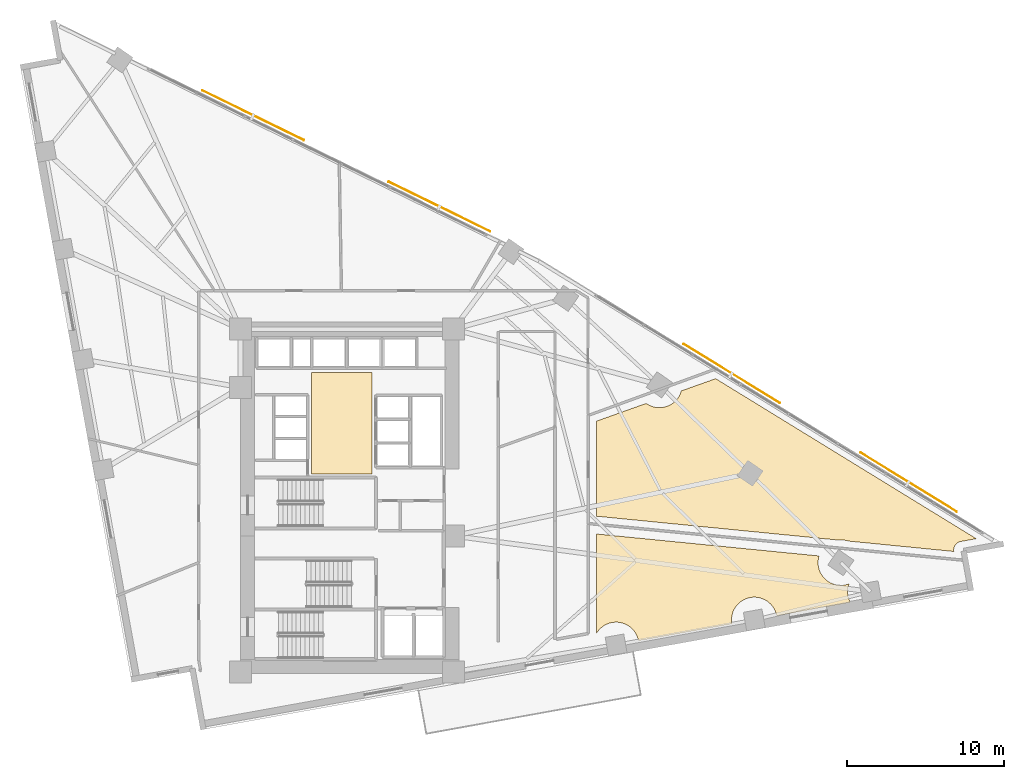
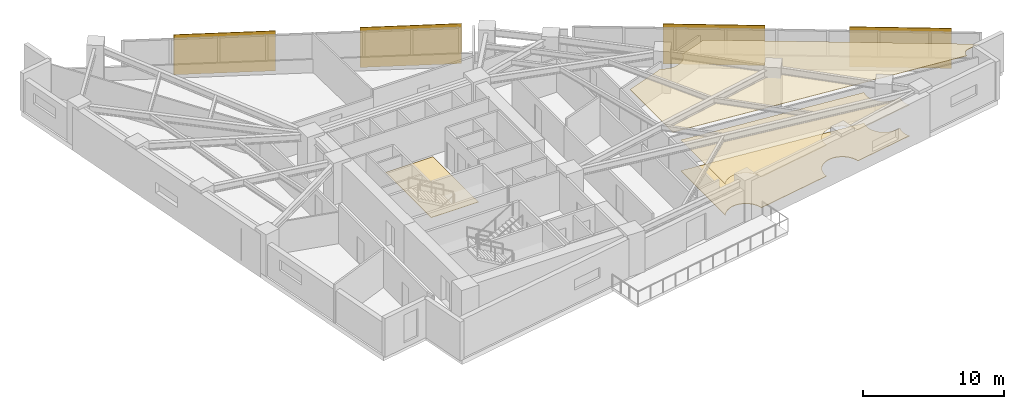
# One storey, part 18 of 18: 4 coverings, 4 shading devices.
"""IFC4 building model written with IfcOpenShell, lengths in metres."""

from ifc_helpers import new_model, si_unit, direction, frame, origin, origin_2d, place, context, subcontext, project, spatial, polyline, rectangle, outline, extrude, material, layer, layer_set, type_object, element, save


model = new_model("IFC4")

# Units and contexts
model_context = context("Model", 3, precision=1e-05, world=origin(), true_north=direction((0.0, 1.0)))
body_context = subcontext(model_context, "Body", "Model", "MODEL_VIEW")
ifc_project = project(units=[si_unit("LENGTHUNIT", "METRE"), si_unit("AREAUNIT", "SQUARE_METRE"), si_unit("VOLUMEUNIT", "CUBIC_METRE"), si_unit("PLANEANGLEUNIT", "RADIAN"), si_unit("MASSUNIT", "GRAM", prefix="KILO")], contexts=[model_context])

# Site, building, storey
site_placement = place(None, origin())
site = spatial("IfcSite", under=ifc_project, at=site_placement, CompositionType="ELEMENT")
building_placement = place(site_placement, origin())
building = spatial("IfcBuilding", under=site, at=building_placement, Name="Narakoshi Arena Tower", CompositionType="ELEMENT")
storey_placement = place(building_placement, frame((0.0, 0.0, 95.699951171875)))
storey = spatial("IfcBuildingStorey", under=building, at=storey_placement, Name="L25", CompositionType="ELEMENT", Elevation=95.699951171875)

# Coverings
ifc_material_1 = material(Name="Acoustic mineral-fibre ceiling tile")
ifc_layer_1 = layer(ifc_material_1, 0.02001953125)
ifc_layer_set_1 = layer_set([ifc_layer_1], Name="Acoustic mineral-fibre ceiling tile")
covering_type_1 = type_object("IfcCoveringType", Name="COV-CLG-AC20", PredefinedType="CEILING", material=ifc_layer_set_1)
covering_1_placement = place(storey_placement, frame((0.0, 0.0, 2.670166015625)))
element("IfcCovering", 1, at=covering_1_placement, inside=storey, type_object=covering_type_1, Name="L25 Suspended Acoustic Ceiling 1", PredefinedType="CEILING", context=body_context, shape_type="SweptSolid", body=[
    extrude(outline(polyline([(106.105712890625, 38.269287109375), (106.103515625, 38.284423828125), (106.06884765625, 38.42236328125), (106.02099609375, 38.556396484375), (105.960205078125, 38.68505859375), (105.886962890625, 38.80712890625), (105.80224609375, 38.92138671875), (105.70654296875, 39.02685546875), (105.601318359375, 39.122314453125), (105.48681640625, 39.20703125), (105.36474609375, 39.2802734375), (105.236083984375, 39.341064453125), (105.102294921875, 39.38916015625), (104.964111328125, 39.423583984375), (104.823486328125, 39.444580078125), (104.681396484375, 39.451416015625), (104.539306640625, 39.444580078125), (104.3984375, 39.423583984375), (104.260498046875, 39.38916015625), (104.12646484375, 39.341064453125), (103.997802734375, 39.2802734375), (103.875732421875, 39.20703125), (103.761474609375, 39.122314453125), (103.656005859375, 39.02685546875), (103.560302734375, 38.92138671875), (103.4755859375, 38.80712890625), (103.402587890625, 38.68505859375), (103.341796875, 38.556396484375), (103.293701171875, 38.42236328125), (103.25927734375, 38.284423828125), (103.23828125, 38.1435546875), (103.231201171875, 38.00146484375), (103.23828125, 37.859375), (103.25390625, 37.753662109375), (97.314453125, 36.679443359375), (97.312255859375, 36.694580078125), (97.277587890625, 36.832763671875), (97.229736328125, 36.966796875), (97.1689453125, 37.09521484375), (97.095703125, 37.21728515625), (97.010986328125, 37.331787109375), (96.915283203125, 37.43701171875), (96.81005859375, 37.53271484375), (96.69580078125, 37.617431640625), (96.573486328125, 37.690673828125), (96.445068359375, 37.75146484375), (96.31103515625, 37.79931640625), (96.173095703125, 37.833984375), (96.0322265625, 37.854736328125), (95.89013671875, 37.86181640625), (95.748046875, 37.854736328125), (95.607177734375, 37.833984375), (95.46923828125, 37.79931640625), (95.335205078125, 37.75146484375), (95.20654296875, 37.690673828125), (95.08447265625, 37.617431640625), (94.97021484375, 37.53271484375), (94.86474609375, 37.43701171875), (94.769287109375, 37.331787109375), (94.6845703125, 37.21728515625), (94.655029296875, 37.168212890625), (94.655029296875, 43.470703125), (108.802734375, 42.074462890625), (108.801513671875, 42.071044921875), (108.76708984375, 41.93310546875), (108.74609375, 41.792236328125), (108.7392578125, 41.650146484375), (108.74609375, 41.508056640625), (108.76708984375, 41.3671875), (108.801513671875, 41.229248046875), (108.849609375, 41.09521484375), (108.910400390625, 40.966796875), (108.983642578125, 40.844482421875), (109.068359375, 40.730224609375), (109.163818359375, 40.625), (109.269287109375, 40.529296875), (109.383544921875, 40.444580078125), (109.505615234375, 40.371337890625), (109.63427734375, 40.310546875), (109.768310546875, 40.2626953125), (109.90625, 40.22802734375), (110.047119140625, 40.207275390625), (110.189208984375, 40.2001953125), (110.331298828125, 40.207275390625), (110.47216796875, 40.22802734375), (110.610107421875, 40.2626953125), (110.71142578125, 40.298828125), (110.6826171875, 40.21875), (110.648193359375, 40.080810546875), (110.627197265625, 39.93994140625), (110.620361328125, 39.7978515625), (110.627197265625, 39.65576171875), (110.648193359375, 39.514892578125), (110.6826171875, 39.376953125), (110.730712890625, 39.242919921875), (110.79052734375, 39.116455078125), (106.105712890625, 38.269287109375)])), origin(), (0.0, 0.0, 1.0), 0.019775390625),
])
ifc_material_2 = material(Name="Slatted oak acoustic timber baffle", Category="wood")
ifc_layer_2 = layer(ifc_material_2, 0.034912109375)
ifc_layer_set_2 = layer_set([ifc_layer_2], Name="Slatted oak acoustic timber baffle")
covering_type_2 = type_object("IfcCoveringType", Name="COV-CLG-WD35", PredefinedType="CEILING", material=ifc_layer_set_2)
covering_2_placement = place(storey_placement, frame((0.0, 0.0, 2.655029296875)))
element("IfcCovering", 2, at=covering_2_placement, inside=storey, type_object=covering_type_2, Name="L25 Suspended Acoustic Ceiling 2", PredefinedType="CEILING", context=body_context, shape_type="SweptSolid", body=[
    extrude(outline(polyline([(110.656982421875, 43.02099609375), (110.610107421875, 43.037841796875), (110.47216796875, 43.072265625), (110.331298828125, 43.09326171875), (110.189208984375, 43.10009765625), (110.047119140625, 43.09326171875), (109.998291015625, 43.0859375), (94.655029296875, 44.60009765625), (94.655029296875, 50.65576171875), (97.80224609375, 51.77783203125), (97.835693359375, 51.7529296875), (97.9580078125, 51.6796875), (98.08642578125, 51.618896484375), (98.220458984375, 51.571044921875), (98.3583984375, 51.53662109375), (98.499267578125, 51.515625), (98.641357421875, 51.508544921875), (98.783447265625, 51.515625), (98.92431640625, 51.53662109375), (99.062255859375, 51.571044921875), (99.1962890625, 51.618896484375), (99.324951171875, 51.6796875), (99.447021484375, 51.7529296875), (99.561279296875, 51.837646484375), (99.666748046875, 51.933349609375), (99.76220703125, 52.038818359375), (99.846923828125, 52.153076171875), (99.920166015625, 52.275146484375), (99.98095703125, 52.40380859375), (100.029052734375, 52.53759765625), (100.038330078125, 52.574951171875), (102.223388671875, 53.35400390625), (118.80029296875, 43.172607421875), (117.8193359375, 42.995361328125), (117.766845703125, 42.983154296875), (117.715576171875, 42.9658203125), (117.66650390625, 42.943603515625), (117.61962890625, 42.916748046875), (117.57568359375, 42.88525390625), (117.53515625, 42.849609375), (117.498291015625, 42.810302734375), (117.46533203125, 42.767578125), (117.436767578125, 42.7216796875), (117.412841796875, 42.67333984375), (117.393798828125, 42.622802734375), (117.379638671875, 42.57080078125), (117.370849609375, 42.517578125), (117.3671875, 42.463623046875), (117.368896484375, 42.40966796875), (117.375732421875, 42.35791015625), (110.656982421875, 43.02099609375)])), origin(), (0.0, 0.0, 1.0), 0.034912109375),
])
ifc_material_3 = material(Name="Raised steel access floor panel", Category="steel")
ifc_layer_3 = layer(ifc_material_3, 0.044921875)
ifc_layer_set_3 = layer_set([ifc_layer_3], Name="Raised steel access floor panel")
covering_type_3 = type_object("IfcCoveringType", Name="COV-FLR-RF45", PredefinedType="FLOORING", material=ifc_layer_set_3)
covering_3_placement = place(storey_placement, origin())
element("IfcCovering", 3, at=covering_3_placement, inside=storey, type_object=covering_type_3, Name="L25 Raised Steel Access Floor", PredefinedType="FLOORING", context=body_context, shape_type="SweptSolid", body=[
    extrude(outline(polyline([(106.105712890625, 38.269287109375), (106.103515625, 38.284423828125), (106.06884765625, 38.42236328125), (106.02099609375, 38.556396484375), (105.960205078125, 38.68505859375), (105.886962890625, 38.80712890625), (105.80224609375, 38.92138671875), (105.70654296875, 39.02685546875), (105.601318359375, 39.122314453125), (105.48681640625, 39.20703125), (105.36474609375, 39.2802734375), (105.236083984375, 39.341064453125), (105.102294921875, 39.38916015625), (104.964111328125, 39.423583984375), (104.823486328125, 39.444580078125), (104.681396484375, 39.451416015625), (104.539306640625, 39.444580078125), (104.3984375, 39.423583984375), (104.260498046875, 39.38916015625), (104.12646484375, 39.341064453125), (103.997802734375, 39.2802734375), (103.875732421875, 39.20703125), (103.761474609375, 39.122314453125), (103.656005859375, 39.02685546875), (103.560302734375, 38.92138671875), (103.4755859375, 38.80712890625), (103.402587890625, 38.68505859375), (103.341796875, 38.556396484375), (103.293701171875, 38.42236328125), (103.25927734375, 38.284423828125), (103.23828125, 38.1435546875), (103.231201171875, 38.00146484375), (103.23828125, 37.859375), (103.25390625, 37.753662109375), (97.314453125, 36.679443359375), (97.312255859375, 36.694580078125), (97.277587890625, 36.832763671875), (97.229736328125, 36.966796875), (97.1689453125, 37.09521484375), (97.095703125, 37.21728515625), (97.010986328125, 37.331787109375), (96.915283203125, 37.43701171875), (96.81005859375, 37.53271484375), (96.69580078125, 37.617431640625), (96.573486328125, 37.690673828125), (96.445068359375, 37.75146484375), (96.31103515625, 37.79931640625), (96.173095703125, 37.833984375), (96.0322265625, 37.854736328125), (95.89013671875, 37.86181640625), (95.748046875, 37.854736328125), (95.607177734375, 37.833984375), (95.46923828125, 37.79931640625), (95.335205078125, 37.75146484375), (95.20654296875, 37.690673828125), (95.08447265625, 37.617431640625), (94.97021484375, 37.53271484375), (94.86474609375, 37.43701171875), (94.769287109375, 37.331787109375), (94.6845703125, 37.21728515625), (94.655029296875, 37.168212890625), (94.655029296875, 43.470703125), (108.802734375, 42.074462890625), (108.801513671875, 42.071044921875), (108.76708984375, 41.93310546875), (108.74609375, 41.792236328125), (108.7392578125, 41.650146484375), (108.74609375, 41.508056640625), (108.76708984375, 41.3671875), (108.801513671875, 41.229248046875), (108.849609375, 41.09521484375), (108.910400390625, 40.966796875), (108.983642578125, 40.844482421875), (109.068359375, 40.730224609375), (109.163818359375, 40.625), (109.269287109375, 40.529296875), (109.383544921875, 40.444580078125), (109.505615234375, 40.371337890625), (109.63427734375, 40.310546875), (109.768310546875, 40.2626953125), (109.90625, 40.22802734375), (110.047119140625, 40.207275390625), (110.189208984375, 40.2001953125), (110.331298828125, 40.207275390625), (110.47216796875, 40.22802734375), (110.610107421875, 40.2626953125), (110.71142578125, 40.298828125), (110.6826171875, 40.21875), (110.648193359375, 40.080810546875), (110.627197265625, 39.93994140625), (110.620361328125, 39.7978515625), (110.627197265625, 39.65576171875), (110.648193359375, 39.514892578125), (110.6826171875, 39.376953125), (110.730712890625, 39.242919921875), (110.79052734375, 39.116455078125), (106.105712890625, 38.269287109375)])), origin(), (0.0, 0.0, 1.0), 0.045166015625),
])
ifc_material_4 = material(Name="Honed granite stone paving", Category="masonry")
ifc_layer_4 = layer(ifc_material_4, 0.030029296875)
ifc_layer_set_4 = layer_set([ifc_layer_4], Name="Honed granite stone paving")
covering_type_4 = type_object("IfcCoveringType", Name="COV-FLR-ST30", PredefinedType="FLOORING", material=ifc_layer_set_4)
covering_4_placement = place(storey_placement, origin())
element("IfcCovering", 4, at=covering_4_placement, inside=storey, type_object=covering_type_4, Name="L25 Lift Lobby Granite Flooring", PredefinedType="FLOORING", context=body_context, shape_type="SweptSolid", body=[
    extrude(outline(polyline([(76.5, 47.300048828125), (80.35009765625, 47.300048828125), (80.35009765625, 53.75), (76.5, 53.75), (76.5, 47.300048828125)])), origin(), (0.0, 0.0, 1.0), 0.030029296875),
])

# Shading devices
ifc_material_5 = material(Name="Perforated bronze ceramic-metal composite")
ifc_layer_5 = layer(ifc_material_5, 0.044921875)
ifc_layer_set_5 = layer_set([ifc_layer_5], Name="Perforated bronze ceramic-metal composite")
shading_device_type = type_object("IfcShadingDeviceType", Name="SHD-SCR-BRZ1", PredefinedType="USERDEFINED", material=ifc_layer_set_5)
for number, where, z_axis, x_axis, name in (
    (5, (114.495849609375, 46.77001953125, 0.0), (0.0, 0.0, 1.0), (-0.852110807003, 0.523361416794, 0.0), "L25 Perforated Bronze Solar Screen 1-1"),
    (6, (103.247802734375, 53.67822265625, 0.0), (0.0, 0.0, 1.0), (-0.852110807003, 0.523361416794, 0.0), "L25 Perforated Bronze Solar Screen 1-2"),
    (7, (84.6494140625, 64.297119140625, 0.0), (0.0, 0.0, 1.0), (-0.897996860024, 0.440001862936, 0.0), "L25 Perforated Bronze Solar Screen 2-1"),
    (8, (72.7958984375, 70.105224609375, 0.0), (0.0, 0.0, 1.0), (-0.897996860024, 0.440001862936, 0.0), "L25 Perforated Bronze Solar Screen 2-2"),
):
    element("IfcShadingDevice", number, at=place(storey_placement, frame(where, z_axis=z_axis, x_axis=x_axis)), inside=storey, type_object=shading_device_type, Name=name, ObjectType="SOLAR SCREEN", PredefinedType="USERDEFINED", context=body_context, shape_type="SweptSolid", body=[
        extrude(rectangle(XDim=7.199951171875, YDim=0.044921875, at=origin_2d()), origin(), (0.0, 0.0, 1.0), 3.449951171875),
    ])

save(model, "model.ifc")
